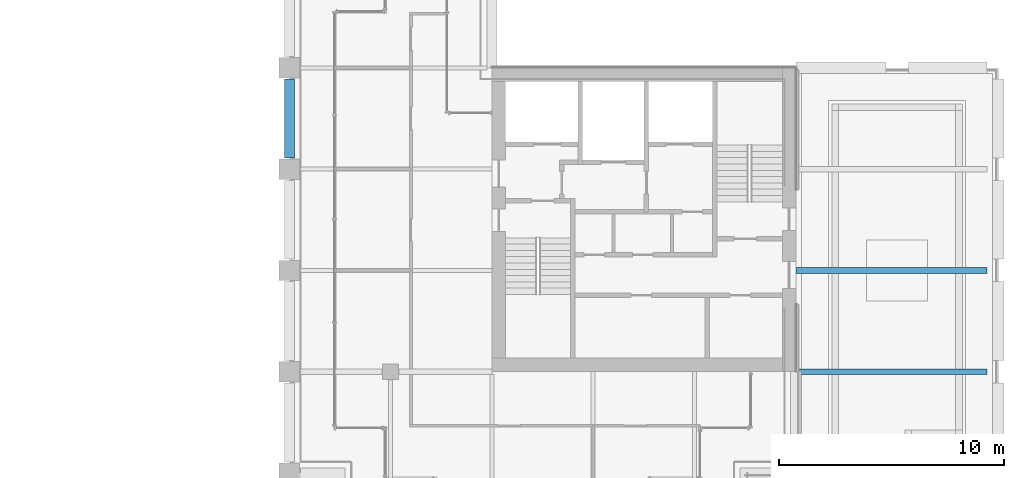
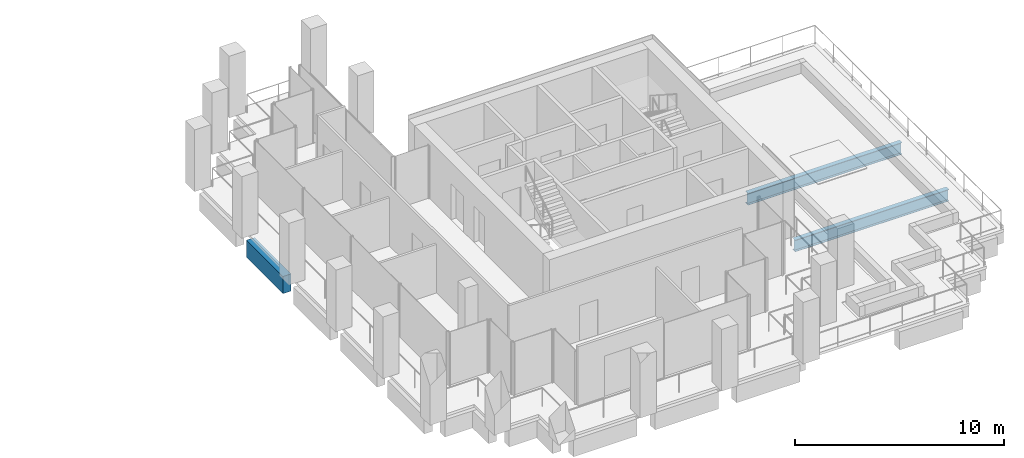
# One storey, part 33 of 44: 3 beams.
"""IFC4 building model written with IfcOpenShell, lengths in metres."""

from ifc_helpers import new_model, si_unit, direction, frame, origin, origin_2d, place, context, subcontext, project, spatial, rectangle, i_section, extrude, material, material_profile, profile_set, type_object, element, save


model = new_model("IFC4")

# Units and contexts
model_context = context("Model", 3, precision=1e-05, world=origin(), true_north=direction((0.0, 1.0)))
body_context = subcontext(model_context, "Body", "Model", "MODEL_VIEW")
ifc_project = project(units=[si_unit("LENGTHUNIT", "METRE"), si_unit("AREAUNIT", "SQUARE_METRE"), si_unit("VOLUMEUNIT", "CUBIC_METRE"), si_unit("PLANEANGLEUNIT", "RADIAN"), si_unit("MASSUNIT", "GRAM", prefix="KILO")], contexts=[model_context])

# Site, building, storey
site_placement = place(None, origin())
site = spatial("IfcSite", under=ifc_project, at=site_placement, CompositionType="ELEMENT")
building_placement = place(site_placement, origin())
building = spatial("IfcBuilding", under=site, at=building_placement, Name="Altepetl Exchange Towers", CompositionType="ELEMENT")
storey_placement = place(building_placement, frame((0.0, 0.0, 143.800048828125)))
storey = spatial("IfcBuildingStorey", under=building, at=storey_placement, Name="L35", CompositionType="ELEMENT", Elevation=143.800048828125)

# Beams
ifc_material_1 = material(Name="Steel S355", Category="steel")
ifc_material_profile_1 = material_profile(ifc_material_1, i_section(OverallWidth=0.25390625, OverallDepth=0.68798828125, WebThickness=0.01318359375, FlangeThickness=0.02099609375, at=origin_2d()), Name="W27X102")
ifc_profile_set_1 = profile_set([ifc_material_profile_1], Name="Steel S355")
beam_type_1 = type_object("IfcBeamType", Name="Floor beam W27X102", PredefinedType="BEAM", material=ifc_profile_set_1)
for number, where, z_axis, x_axis, name in (
    (1, (117.0, 36.0, -0.494140625), (1.0, 0.0, 0.0), (0.0, 1.0, 0.0), "bm:B:L35:t001"),
    (2, (117.0, 40.5, -0.494140625), (1.0, 0.0, 0.0), (0.0, 1.0, 0.0), "bm:B:L35:t002"),
):
    element("IfcBeam", number, at=place(storey_placement, frame(where, z_axis=z_axis, x_axis=x_axis)), inside=storey, type_object=beam_type_1, Name=name, PredefinedType="BEAM", context=body_context, shape_type="SweptSolid", body=[
        extrude(i_section(OverallWidth=0.25390625, OverallDepth=0.68798828125, WebThickness=0.01318359375, FlangeThickness=0.02099609375, at=origin_2d()), origin(), (0.0, 0.0, 1.0), 8.5),
    ])
ifc_material_2 = material(Name="Concrete C50/60 precast with cantera rosa facing", Category="concrete")
ifc_material_profile_2 = material_profile(ifc_material_2, rectangle(XDim=0.449951171875, YDim=1.0, at=origin_2d()), Name="450 x 1000")
ifc_profile_set_2 = profile_set([ifc_material_profile_2], Name="Concrete C50/60 precast with cantera rosa facing")
beam_type_2 = type_object("IfcBeamType", Name="Spandrel beam 450x1000 cantera rosa", PredefinedType="SPANDREL", material=ifc_profile_set_2)
beam_placement = place(storey_placement, frame((94.5, 49.0, -0.650146484375), z_axis=(0.0, -1.0, 0.0), x_axis=(1.0, 0.0, 0.0)))
element("IfcBeam", 3, at=beam_placement, inside=storey, type_object=beam_type_2, Name="sp:B:L35:016", PredefinedType="SPANDREL", context=body_context, shape_type="SweptSolid", body=[
    extrude(rectangle(XDim=0.449951171875, YDim=1.0, at=origin_2d()), origin(), (0.0, 0.0, 1.0), 3.5),
])

save(model, "model.ifc")
